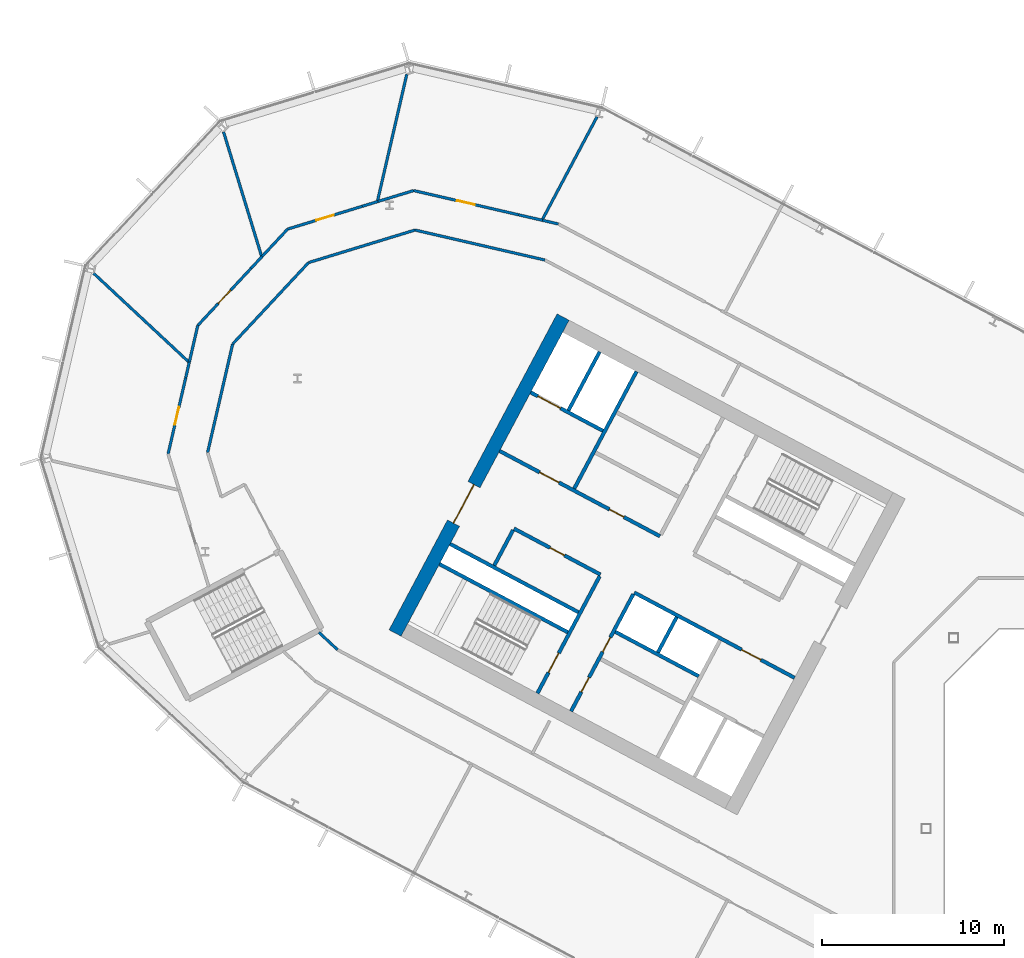
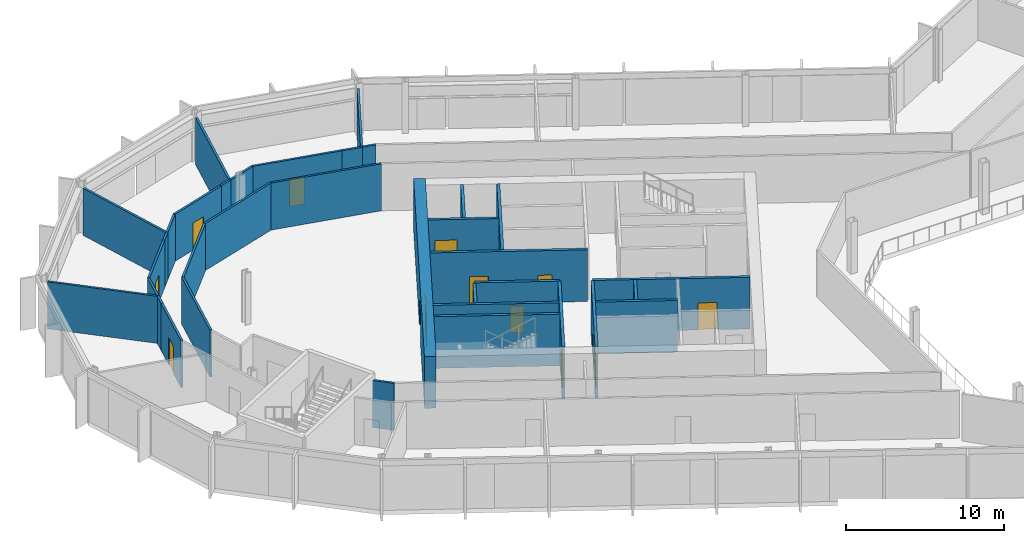
# One storey, part 14 of 28: 35 walls, 13 doors, 13 openings.
"""IFC4 building model written with IfcOpenShell, lengths in metres."""

from ifc_helpers import new_model, si_unit, direction, frame, frame_2d, origin, place, context, subcontext, project, spatial, rectangle, extrude, material, layer, layer_set, type_object, element, fill, save


model = new_model("IFC4")

# Units and contexts
model_context = context("Model", 3, precision=1e-05, world=origin(), true_north=direction((0.0, 1.0)))
body_context = subcontext(model_context, "Body", "Model", "MODEL_VIEW")
ifc_project = project(units=[si_unit("LENGTHUNIT", "METRE"), si_unit("AREAUNIT", "SQUARE_METRE"), si_unit("VOLUMEUNIT", "CUBIC_METRE"), si_unit("PLANEANGLEUNIT", "RADIAN"), si_unit("MASSUNIT", "GRAM", prefix="KILO")], contexts=[model_context])

# Site, building, storey
site_placement = place(None, origin())
site = spatial("IfcSite", under=ifc_project, at=site_placement, CompositionType="ELEMENT")
building_placement = place(site_placement, origin())
building = spatial("IfcBuilding", under=site, at=building_placement, Name="Cormorant Relay Tower", CompositionType="ELEMENT")
storey_placement = place(building_placement, frame((0.0, 0.0, 130.199951171875)))
storey = spatial("IfcBuildingStorey", under=building, at=storey_placement, Name="L26", CompositionType="ELEMENT", Elevation=130.199951171875)

# Wall
ifc_material_1 = material(Name="Concrete 40 MPa", Category="concrete")
ifc_layer_1 = layer(ifc_material_1, 0.199951171875)
ifc_layer_set_1 = layer_set([ifc_layer_1], Name="Core internal wall 200")
wall_type_1 = type_object("IfcWallType", Name="Core internal wall 200", PredefinedType="SOLIDWALL", material=ifc_layer_set_1)
wall_1_placement = place(storey_placement, frame((-25.744140625, 11.64990234375, 0.0), z_axis=(0.0, 0.0, 1.0), x_axis=(-0.469487830541, -0.882938942948, 0.0)))
element("IfcWall", 1, at=wall_1_placement, inside=storey, type_object=wall_type_1, Name="L26 core A shaft and room wall", PredefinedType="SOLIDWALL", context=body_context, shape_type="SweptSolid", body=[
    extrude(rectangle(XDim=2.2001953125, YDim=0.199951171875, at=frame_2d((1.10009765625, 0.0))), origin(), (0.0, 0.0, 1.0), 4.0),
])

# Wall, openings, doors
ifc_material_2 = material(Name="Concrete 50 MPa", Category="concrete")
ifc_layer_2 = layer(ifc_material_2, 0.199951171875)
ifc_layer_set_2 = layer_set([ifc_layer_2], Name="Core shaft wall 200")
wall_type_2 = type_object("IfcWallType", Name="Core shaft wall 200", PredefinedType="SHEAR", material=ifc_layer_set_2)
wall_2_placement = place(storey_placement, frame((-28.128173828125, 12.91748046875, 0.0), z_axis=(0.0, 0.0, 1.0), x_axis=(-0.469454336211, -0.882956752176, 0.0)))
wall_2 = element("IfcWall", 2, at=wall_2_placement, inside=storey, type_object=wall_type_2, Name="L26 core A shaft wall", PredefinedType="SHEAR", context=body_context, shape_type="SweptSolid", body=[
    extrude(rectangle(XDim=7.300048828125, YDim=0.199951171875, at=frame_2d((3.64990234375, 0.0))), origin(), (0.0, 0.0, 1.0), 4.0),
])
opening_1_placement = place(wall_2_placement, frame((2.699951171875, 0.0, 0.0)))
opening_1 = element("IfcOpeningElement", 3, at=opening_1_placement, cuts=wall_2, Name="Opening CDD-187", PredefinedType="OPENING", context=body_context, shape_type="SweptSolid", body=[
    extrude(rectangle(XDim=0.89990234375, YDim=2.10009765625, at=frame_2d((0.449951171875, 1.050048828125))), frame((0.0, 0.10986328125, 0.0), z_axis=(0.0, -1.0, 0.0), x_axis=(1.0, 0.0, 0.0)), (0.0, 0.0, 1.0), 0.219970703125),
])
opening_2_placement = place(wall_2_placement, frame((5.199951171875, 0.0, 0.0)))
opening_2 = element("IfcOpeningElement", 4, at=opening_2_placement, cuts=wall_2, Name="Opening CDD-188", PredefinedType="OPENING", context=body_context, shape_type="SweptSolid", body=[
    extrude(rectangle(XDim=0.89990234375, YDim=2.10009765625, at=frame_2d((0.449951171875, 1.050048828125))), frame((0.0, 0.10986328125, 0.0), z_axis=(0.0, -1.0, 0.0), x_axis=(1.0, 0.0, 0.0)), (0.0, 0.0, 1.0), 0.219970703125),
])
ifc_material_3 = material(Name="Steel fire door", Category="steel")
door_type_1 = type_object("IfcDoorType", Name="Core room door 900x2100", OperationType="SINGLE_SWING_LEFT", PredefinedType="DOOR", material=ifc_material_3)
door_1_placement = place(opening_1_placement, origin())
door_1 = element("IfcDoor", 5, at=door_1_placement, inside=storey, type_object=door_type_1, Name="Core room door 900x2100", OperationType="SINGLE_SWING_LEFT", OverallHeight=2.10009765625, OverallWidth=0.89990234375, PredefinedType="DOOR", context=body_context, shape_type="SweptSolid", body=[
    extrude(rectangle(XDim=0.89990234375, YDim=2.10009765625, at=frame_2d((0.449951171875, 1.050048828125))), frame((0.0, 0.02490234375, 0.0), z_axis=(0.0, -1.0, 0.0), x_axis=(1.0, 0.0, 0.0)), (0.0, 0.0, 1.0), 0.050048828125),
])
fill(opening_1, door_1)
door_2_placement = place(opening_2_placement, origin())
door_2 = element("IfcDoor", 6, at=door_2_placement, inside=storey, type_object=door_type_1, Name="Core room door 900x2100", OperationType="SINGLE_SWING_LEFT", OverallHeight=2.10009765625, OverallWidth=0.89990234375, PredefinedType="DOOR", context=body_context, shape_type="SweptSolid", body=[
    extrude(rectangle(XDim=0.89990234375, YDim=2.10009765625, at=frame_2d((0.449951171875, 1.050048828125))), frame((0.0, 0.02490234375, 0.0), z_axis=(0.0, -1.0, 0.0), x_axis=(1.0, 0.0, 0.0)), (0.0, 0.0, 1.0), 0.050048828125),
])
fill(opening_2, door_2)

# Wall, opening, door
wall_3_placement = place(storey_placement, frame((-29.982421875, 13.9033203125, 0.0), z_axis=(0.0, 0.0, 1.0), x_axis=(-0.469454336211, -0.882956752176, 0.0)))
wall_3 = element("IfcWall", 7, at=wall_3_placement, inside=storey, type_object=wall_type_2, Name="L26 core A shaft wall", PredefinedType="SHEAR", context=body_context, shape_type="SweptSolid", body=[
    extrude(rectangle(XDim=7.300048828125, YDim=0.199951171875, at=frame_2d((3.64990234375, 0.0))), origin(), (0.0, 0.0, 1.0), 4.0),
])
opening_3_placement = place(wall_3_placement, frame((4.800048828125, 0.0, 0.0)))
opening_3 = element("IfcOpeningElement", 8, at=opening_3_placement, cuts=wall_3, Name="Opening CDB-035", PredefinedType="OPENING", context=body_context, shape_type="SweptSolid", body=[
    extrude(rectangle(XDim=1.199951171875, YDim=2.10009765625, at=frame_2d((0.60009765625, 1.050048828125))), frame((0.0, 0.10986328125, 0.0), z_axis=(0.0, -1.0, 0.0), x_axis=(1.0, 0.0, 0.0)), (0.0, 0.0, 1.0), 0.219970703125),
])
ifc_material_4 = material(Name="Steel fire door", Category="steel")
door_type_2 = type_object("IfcDoorType", Name="Core stair door 1200x2100", OperationType="SINGLE_SWING_LEFT", PredefinedType="DOOR", material=ifc_material_4)
door_3_placement = place(opening_3_placement, frame((1.199951171875, 0.0, 0.0), z_axis=(0.0, 0.0, 1.0), x_axis=(-1.0, 0.0, 0.0)))
door_3 = element("IfcDoor", 9, at=door_3_placement, inside=storey, type_object=door_type_2, Name="Core stair door 1200x2100", OperationType="SINGLE_SWING_RIGHT", OverallHeight=2.10009765625, OverallWidth=1.199951171875, PredefinedType="DOOR", context=body_context, shape_type="SweptSolid", body=[
    extrude(rectangle(XDim=1.199951171875, YDim=2.10009765625, at=frame_2d((0.60009765625, 1.050048828125))), frame((0.0, 0.02490234375, 0.0), z_axis=(0.0, -1.0, 0.0), x_axis=(1.0, 0.0, 0.0)), (0.0, 0.0, 1.0), 0.050048828125),
])
fill(opening_3, door_3)

# Walls
wall_4_placement = place(storey_placement, frame((-27.955322265625, 25.170654296875, 0.0), z_axis=(0.0, 0.0, 1.0), x_axis=(-0.469480409012, -0.88294288918, 0.0)))
element("IfcWall", 10, at=wall_4_placement, inside=storey, type_object=wall_type_2, Name="L26 core A shaft wall", PredefinedType="SHEAR", context=body_context, shape_type="SweptSolid", body=[
    extrude(rectangle(XDim=7.300048828125, YDim=0.199951171875, at=frame_2d((3.64990234375, 0.0))), origin(), (0.0, 0.0, 1.0), 4.0),
])
wall_5_placement = place(storey_placement, frame((-34.750244140625, 16.4384765625, 0.0), z_axis=(0.0, 0.0, 1.0), x_axis=(-0.469401318492, -0.882984938828, 0.0)))
element("IfcWall", 11, at=wall_5_placement, inside=storey, type_object=wall_type_2, Name="L26 core A shaft wall", PredefinedType="SHEAR", context=body_context, shape_type="SweptSolid", body=[
    extrude(rectangle(XDim=2.199951171875, YDim=0.199951171875, at=frame_2d((1.10009765625, 0.0))), origin(), (0.0, 0.0, 1.0), 4.0),
])
wall_6_placement = place(storey_placement, frame((-29.986083984375, 26.250244140625, 0.0), z_axis=(0.0, 0.0, 1.0), x_axis=(-0.469494272526, -0.882935517501, 0.0)))
element("IfcWall", 12, at=wall_6_placement, inside=storey, type_object=wall_type_2, Name="L26 core A shaft wall", PredefinedType="SHEAR", context=body_context, shape_type="SweptSolid", body=[
    extrude(rectangle(XDim=3.64990234375, YDim=0.199951171875, at=frame_2d((1.824951171875, 0.0))), origin(), (0.0, 0.0, 1.0), 4.0),
])

# Wall, opening, door
wall_7_placement = place(storey_placement, frame((-29.80419921875, 21.906494140625, 0.0), z_axis=(0.0, 0.0, 1.0), x_axis=(-0.882960433586, 0.469447412093, 0.0)))
wall_7 = element("IfcWall", 13, at=wall_7_placement, inside=storey, type_object=wall_type_2, Name="L26 core A shaft wall", PredefinedType="SHEAR", context=body_context, shape_type="SweptSolid", body=[
    extrude(rectangle(XDim=4.5, YDim=0.199951171875, at=frame_2d((2.25, 0.0))), origin(), (0.0, 0.0, 1.0), 4.0),
])
opening_4_placement = place(wall_7_placement, frame((2.64990234375, 0.0, 0.0)))
opening_4 = element("IfcOpeningElement", 14, at=opening_4_placement, cuts=wall_7, Name="Opening LD3-013", PredefinedType="OPENING", context=body_context, shape_type="SweptSolid", body=[
    extrude(rectangle(XDim=1.39990234375, YDim=2.39990234375, at=frame_2d((0.699951171875, 1.199951171875))), frame((0.0, 0.10986328125, 0.0), z_axis=(0.0, -1.0, 0.0), x_axis=(1.0, 0.0, 0.0)), (0.0, 0.0, 1.0), 0.219970703125),
])
ifc_material_5 = material(Name="Stainless steel 316", Category="steel")
door_type_3 = type_object("IfcDoorType", Name="Lift landing door 1400x2400", OperationType="DOUBLE_DOOR_SLIDING", PredefinedType="DOOR", material=ifc_material_5)
door_4_placement = place(opening_4_placement, origin())
door_4 = element("IfcDoor", 15, at=door_4_placement, inside=storey, type_object=door_type_3, Name="SV1 landing door", OperationType="DOUBLE_DOOR_SLIDING", OverallHeight=2.39990234375, OverallWidth=1.39990234375, PredefinedType="DOOR", context=body_context, shape_type="SweptSolid", body=[
    extrude(rectangle(XDim=1.39990234375, YDim=2.39990234375, at=frame_2d((0.699951171875, 1.199951171875))), frame((0.0, 0.02490234375, 0.0), z_axis=(0.0, -1.0, 0.0), x_axis=(1.0, 0.0, 0.0)), (0.0, 0.0, 1.0), 0.050048828125),
])
fill(opening_4, door_4)

# Wall, openings, doors
wall_8_placement = place(storey_placement, frame((-26.66162109375, 16.1015625, 0.0), z_axis=(0.0, 0.0, 1.0), x_axis=(-0.882940221191, 0.469485426614, 0.0)))
wall_8 = element("IfcWall", 16, at=wall_8_placement, inside=storey, type_object=wall_type_2, Name="L26 core A shaft wall", PredefinedType="SHEAR", context=body_context, shape_type="SweptSolid", body=[
    extrude(rectangle(XDim=10.0, YDim=0.199951171875, at=frame_2d((5.0, 0.0))), origin(), (0.0, 0.0, 1.0), 4.0),
])
opening_5_placement = place(wall_8_placement, frame((6.300048828125, 0.0, 0.0)))
opening_5 = element("IfcOpeningElement", 17, at=opening_5_placement, cuts=wall_8, Name="Opening CDC-029", PredefinedType="OPENING", context=body_context, shape_type="SweptSolid", body=[
    extrude(rectangle(XDim=1.199951171875, YDim=2.10009765625, at=frame_2d((0.60009765625, 1.050048828125))), frame((0.0, 0.10986328125, 0.0), z_axis=(0.0, -1.0, 0.0), x_axis=(1.0, 0.0, 0.0)), (0.0, 0.0, 1.0), 0.219970703125),
])
opening_6_placement = place(wall_8_placement, frame((2.25, 0.0, 0.0)))
opening_6 = element("IfcOpeningElement", 18, at=opening_6_placement, cuts=wall_8, Name="Opening CDD-186", PredefinedType="OPENING", context=body_context, shape_type="SweptSolid", body=[
    extrude(rectangle(XDim=0.89990234375, YDim=2.10009765625, at=frame_2d((0.449951171875, 1.050048828125))), frame((0.0, 0.10986328125, 0.0), z_axis=(0.0, -1.0, 0.0), x_axis=(1.0, 0.0, 0.0)), (0.0, 0.0, 1.0), 0.219970703125),
])
ifc_material_6 = material(Name="Steel fire door", Category="steel")
door_type_4 = type_object("IfcDoorType", Name="Core lobby door 1200x2100", OperationType="SINGLE_SWING_LEFT", PredefinedType="DOOR", material=ifc_material_6)
door_5_placement = place(opening_5_placement, frame((1.199951171875, 0.0, 0.0), z_axis=(0.0, 0.0, 1.0), x_axis=(-1.0, 0.0, 0.0)))
door_5 = element("IfcDoor", 19, at=door_5_placement, inside=storey, type_object=door_type_4, Name="Core lobby door 1200x2100", OperationType="SINGLE_SWING_RIGHT", OverallHeight=2.10009765625, OverallWidth=1.199951171875, PredefinedType="DOOR", context=body_context, shape_type="SweptSolid", body=[
    extrude(rectangle(XDim=1.199951171875, YDim=2.10009765625, at=frame_2d((0.60009765625, 1.050048828125))), frame((0.0, 0.02490234375, 0.0), z_axis=(0.0, -1.0, 0.0), x_axis=(1.0, 0.0, 0.0)), (0.0, 0.0, 1.0), 0.050048828125),
])
fill(opening_5, door_5)
door_6_placement = place(opening_6_placement, frame((0.89990234375, 0.0, 0.0), z_axis=(0.0, 0.0, 1.0), x_axis=(-1.0, 0.0, 0.0)))
door_6 = element("IfcDoor", 20, at=door_6_placement, inside=storey, type_object=door_type_1, Name="Core room door 900x2100", OperationType="SINGLE_SWING_RIGHT", OverallHeight=2.10009765625, OverallWidth=0.89990234375, PredefinedType="DOOR", context=body_context, shape_type="SweptSolid", body=[
    extrude(rectangle(XDim=0.89990234375, YDim=2.10009765625, at=frame_2d((0.449951171875, 1.050048828125))), frame((0.0, 0.02490234375, 0.0), z_axis=(0.0, -1.0, 0.0), x_axis=(1.0, 0.0, 0.0)), (0.0, 0.0, 1.0), 0.050048828125),
])
fill(opening_6, door_6)

# Wall, opening, door
wall_9_placement = place(storey_placement, frame((-19.251708984375, 8.31103515625, 0.0), z_axis=(0.0, 0.0, 1.0), x_axis=(-0.882955722218, 0.469456273365, 0.0)))
wall_9 = element("IfcWall", 21, at=wall_9_placement, inside=storey, type_object=wall_type_2, Name="L26 core A shaft wall", PredefinedType="SHEAR", context=body_context, shape_type="SweptSolid", body=[
    extrude(rectangle(XDim=10.0, YDim=0.199951171875, at=frame_2d((5.0, 0.0))), origin(), (0.0, 0.0, 1.0), 4.0),
])
opening_7_placement = place(wall_9_placement, frame((2.10009765625, 0.0, 0.0)))
opening_7 = element("IfcOpeningElement", 22, at=opening_7_placement, cuts=wall_9, Name="Opening CDC-025", PredefinedType="OPENING", context=body_context, shape_type="SweptSolid", body=[
    extrude(rectangle(XDim=1.199951171875, YDim=2.10009765625, at=frame_2d((0.60009765625, 1.050048828125))), frame((0.0, 0.10986328125, 0.0), z_axis=(0.0, -1.0, 0.0), x_axis=(1.0, 0.0, 0.0)), (0.0, 0.0, 1.0), 0.219970703125),
])
door_7_placement = place(opening_7_placement, origin())
door_7 = element("IfcDoor", 23, at=door_7_placement, inside=storey, type_object=door_type_4, Name="Core lobby door 1200x2100", OperationType="SINGLE_SWING_RIGHT", OverallHeight=2.10009765625, OverallWidth=1.199951171875, PredefinedType="DOOR", context=body_context, shape_type="SweptSolid", body=[
    extrude(rectangle(XDim=1.199951171875, YDim=2.10009765625, at=frame_2d((0.60009765625, 1.050048828125))), frame((0.0, 0.02490234375, 0.0), z_axis=(0.0, -1.0, 0.0), x_axis=(1.0, 0.0, 0.0)), (0.0, 0.0, 1.0), 0.050048828125),
])
fill(opening_7, door_7)

wall_10_placement = place(storey_placement, frame((-29.935302734375, 13.991455078125, 0.0), z_axis=(0.0, 0.0, 1.0), x_axis=(-0.882952937579, 0.469461510692, 0.0)))
wall_10 = element("IfcWall", 24, at=wall_10_placement, inside=storey, type_object=wall_type_2, Name="L26 core A shaft wall", PredefinedType="SHEAR", context=body_context, shape_type="SweptSolid", body=[
    extrude(rectangle(XDim=5.400146484375, YDim=0.199951171875, at=frame_2d((2.7001953125, 0.0))), origin(), (0.0, 0.0, 1.0), 4.0),
])
opening_8_placement = place(wall_10_placement, frame((2.25, 0.0, 0.0)))
opening_8 = element("IfcOpeningElement", 25, at=opening_8_placement, cuts=wall_10, Name="Opening CDD-184", PredefinedType="OPENING", context=body_context, shape_type="SweptSolid", body=[
    extrude(rectangle(XDim=0.89990234375, YDim=2.10009765625, at=frame_2d((0.449951171875, 1.050048828125))), frame((0.0, 0.10986328125, 0.0), z_axis=(0.0, -1.0, 0.0), x_axis=(1.0, 0.0, 0.0)), (0.0, 0.0, 1.0), 0.219970703125),
])
door_8_placement = place(opening_8_placement, origin())
door_8 = element("IfcDoor", 26, at=door_8_placement, inside=storey, type_object=door_type_1, Name="Core room door 900x2100", OperationType="SINGLE_SWING_LEFT", OverallHeight=2.10009765625, OverallWidth=0.89990234375, PredefinedType="DOOR", context=body_context, shape_type="SweptSolid", body=[
    extrude(rectangle(XDim=0.89990234375, YDim=2.10009765625, at=frame_2d((0.449951171875, 1.050048828125))), frame((0.0, 0.02490234375, 0.0), z_axis=(0.0, -1.0, 0.0), x_axis=(1.0, 0.0, 0.0)), (0.0, 0.0, 1.0), 0.050048828125),
])
fill(opening_8, door_8)

# Walls
wall_11_placement = place(storey_placement, frame((-24.5283203125, 8.3984375, 0.0), z_axis=(0.0, 0.0, 1.0), x_axis=(-0.882953967957, 0.469459572775, 0.0)))
element("IfcWall", 27, at=wall_11_placement, inside=storey, type_object=wall_type_2, Name="L26 core A shaft wall", PredefinedType="SHEAR", context=body_context, shape_type="SweptSolid", body=[
    extrude(rectangle(XDim=5.199951171875, YDim=0.199951171875, at=frame_2d((2.60009765625, 0.0))), origin(), (0.0, 0.0, 1.0), 4.0),
])
for number, where, z_axis, x_axis, name in (
    (28, (-31.150390625, 11.91943359375, 0.0), (0.0, 0.0, 1.0), (-0.882940221191, 0.469485426614, 0.0), "L26 core A shaft wall"),
    (29, (-31.7373046875, 10.815673828125, 0.0), (0.0, 0.0, 1.0), (-0.882940221191, 0.469485426614, 0.0), "L26 core A shaft wall"),
):
    element("IfcWall", number, at=place(storey_placement, frame(where, z_axis=z_axis, x_axis=x_axis)), inside=storey, type_object=wall_type_2, Name=name, PredefinedType="SHEAR", context=body_context, shape_type="SweptSolid", body=[
        extrude(rectangle(XDim=8.0, YDim=0.199951171875, at=frame_2d((4.0, 0.0))), origin(), (0.0, 0.0, 1.0), 4.0),
    ])

# Wall, opening, door
ifc_material_7 = material(Name="Concrete 60 MPa", Category="concrete")
ifc_layer_3 = layer(ifc_material_7, 0.75)
ifc_layer_set_3 = layer_set([ifc_layer_3], Name="Core wall 750")
wall_type_3 = type_object("IfcWallType", Name="Core wall 750", PredefinedType="SHEAR", material=ifc_layer_set_3)
wall_12_placement = place(storey_placement, frame((-31.995849609375, 28.16845703125, 0.0), z_axis=(0.0, 0.0, 1.0), x_axis=(-0.469479580143, -0.882943329908, 0.0)))
wall_12 = element("IfcWall", 30, at=wall_12_placement, inside=storey, type_object=wall_type_3, Name="L26 core A wall", PredefinedType="SHEAR", context=body_context, shape_type="SweptSolid", body=[
    extrude(rectangle(XDim=19.699951171875, YDim=0.75, at=frame_2d((9.85009765625, 0.0))), origin(), (0.0, 0.0, 1.0), 4.0),
])
opening_9_placement = place(wall_12_placement, frame((10.449951171875, 0.0, 0.0)))
opening_9 = element("IfcOpeningElement", 31, at=opening_9_placement, cuts=wall_12, Name="Opening CDA-027", PredefinedType="OPENING", context=body_context, shape_type="SweptSolid", body=[
    extrude(rectangle(XDim=2.39990234375, YDim=2.39990234375, at=frame_2d((1.199951171875, 1.199951171875))), frame((0.0, 0.385009765625, 0.0), z_axis=(0.0, -1.0, 0.0), x_axis=(1.0, 0.0, 0.0)), (0.0, 0.0, 1.0), 0.77001953125),
])
ifc_material_8 = material(Name="Steel fire door", Category="steel")
door_type_5 = type_object("IfcDoorType", Name="Core lobby door 2400x2400", OperationType="DOUBLE_DOOR_SINGLE_SWING", PredefinedType="DOOR", material=ifc_material_8)
door_9_placement = place(opening_9_placement, origin())
door_9 = element("IfcDoor", 32, at=door_9_placement, inside=storey, type_object=door_type_5, Name="Core lobby door 2400x2400", OperationType="DOUBLE_DOOR_SINGLE_SWING", OverallHeight=2.39990234375, OverallWidth=2.39990234375, PredefinedType="DOOR", context=body_context, shape_type="SweptSolid", body=[
    extrude(rectangle(XDim=2.39990234375, YDim=2.39990234375, at=frame_2d((1.199951171875, 1.199951171875))), frame((0.0, 0.02490234375, 0.0), z_axis=(0.0, -1.0, 0.0), x_axis=(1.0, 0.0, 0.0)), (0.0, 0.0, 1.0), 0.050048828125),
])
fill(opening_9, door_9)

ifc_material_9 = material(Name="Gypsum board fire partition")
ifc_layer_4 = layer(ifc_material_9, 0.14990234375)
ifc_layer_set_4 = layer_set([ifc_layer_4], Name="Corridor partition 150 EI 60")
wall_type_4 = type_object("IfcWallType", Name="Corridor partition 150 EI 60", PredefinedType="PARTITIONING", material=ifc_layer_set_4)
wall_13_placement = place(storey_placement, frame((-52.76904296875, 24.825927734375, 0.0), z_axis=(0.0, 0.0, 1.0), x_axis=(-0.224938307653, -0.974373007503, 0.0)))
wall_13 = element("IfcWall", 33, at=wall_13_placement, inside=storey, type_object=wall_type_4, Name="wall/L26/part/004", PredefinedType="PARTITIONING", context=body_context, shape_type="SweptSolid", body=[
    extrude(rectangle(XDim=4.299072265625, YDim=0.14990234375, at=frame_2d((2.1494140625, 0.0))), origin(), (0.0, 0.0, 1.0), 3.64013671875),
])
opening_10_placement = place(wall_13_placement, frame((1.64990234375, 0.0, 0.0)))
opening_10 = element("IfcOpeningElement", 34, at=opening_10_placement, cuts=wall_13, Name="Opening DS-028", PredefinedType="OPENING", context=body_context, shape_type="SweptSolid", body=[
    extrude(rectangle(XDim=1.0, YDim=2.10009765625, at=frame_2d((0.5, 1.050048828125))), frame((0.0, 0.0849609375, 0.0), z_axis=(0.0, -1.0, 0.0), x_axis=(1.0, 0.0, 0.0)), (0.0, 0.0, 1.0), 0.169921875),
])
ifc_material_10 = material(Name="Timber door leaf", Category="wood")
door_type_6 = type_object("IfcDoorType", Name="Suite door 1000x2100", OperationType="SINGLE_SWING_LEFT", PredefinedType="DOOR", material=ifc_material_10)
door_10_placement = place(opening_10_placement, frame((1.0, 0.0, 0.0), z_axis=(0.0, 0.0, 1.0), x_axis=(-1.0, 0.0, 0.0)))
door_10 = element("IfcDoor", 35, at=door_10_placement, inside=storey, type_object=door_type_6, Name="door/L26/015", OperationType="SINGLE_SWING_RIGHT", OverallHeight=2.10009765625, OverallWidth=1.0, PredefinedType="DOOR", context=body_context, shape_type="SweptSolid", body=[
    extrude(rectangle(XDim=1.0, YDim=2.10009765625, at=frame_2d((0.5, 1.050048828125))), frame((0.0, 0.02490234375, 0.0), z_axis=(0.0, -1.0, 0.0), x_axis=(1.0, 0.0, 0.0)), (0.0, 0.0, 1.0), 0.050048828125),
])
fill(opening_10, door_10)

# Walls
wall_14_placement = place(storey_placement, frame((-52.76904296875, 24.825927734375, 0.0), z_axis=(0.0, 0.0, 1.0), x_axis=(0.224999270749, 0.974358931894, 0.0)))
element("IfcWall", 36, at=wall_14_placement, inside=storey, type_object=wall_type_4, Name="wall/L26/part/007", PredefinedType="PARTITIONING", context=body_context, shape_type="SweptSolid", body=[
    extrude(rectangle(XDim=0.89306640625, YDim=0.14990234375, at=frame_2d((0.446533203125, 0.0))), origin(), (0.0, 0.0, 1.0), 3.64013671875),
])
wall_15_placement = place(storey_placement, frame((-52.10400390625, 27.705078125, 0.0), z_axis=(0.0, 0.0, 1.0), x_axis=(-0.225084333606, -0.974339285242, 0.0)))
element("IfcWall", 37, at=wall_15_placement, inside=storey, type_object=wall_type_4, Name="wall/L26/part/008", PredefinedType="PARTITIONING", context=body_context, shape_type="SweptSolid", body=[
    extrude(rectangle(XDim=2.06201171875, YDim=0.14990234375, at=frame_2d((1.031005859375, 0.0))), origin(), (0.0, 0.0, 1.0), 3.64013671875),
])

# Wall, opening, door
wall_16_placement = place(storey_placement, frame((-52.10400390625, 27.7041015625, 0.0), z_axis=(0.0, 0.0, 1.0), x_axis=(0.681907306721, 0.731438599638, 0.0)))
wall_16 = element("IfcWall", 38, at=wall_16_placement, inside=storey, type_object=wall_type_4, Name="wall/L26/part/009", PredefinedType="PARTITIONING", context=body_context, shape_type="SweptSolid", body=[
    extrude(rectangle(XDim=4.298095703125, YDim=0.14990234375, at=frame_2d((2.14892578125, 0.0))), origin(), (0.0, 0.0, 1.0), 3.64013671875),
])
opening_11_placement = place(wall_16_placement, frame((1.64990234375, 0.0, 0.0)))
opening_11 = element("IfcOpeningElement", 39, at=opening_11_placement, cuts=wall_16, Name="Opening DS-027", PredefinedType="OPENING", context=body_context, shape_type="SweptSolid", body=[
    extrude(rectangle(XDim=1.0, YDim=2.10009765625, at=frame_2d((0.5, 1.050048828125))), frame((0.0, 0.0849609375, 0.0), z_axis=(0.0, -1.0, 0.0), x_axis=(1.0, 0.0, 0.0)), (0.0, 0.0, 1.0), 0.169921875),
])
door_11_placement = place(opening_11_placement, origin())
door_11 = element("IfcDoor", 40, at=door_11_placement, inside=storey, type_object=door_type_6, Name="door/L26/014", OperationType="SINGLE_SWING_RIGHT", OverallHeight=2.10009765625, OverallWidth=1.0, PredefinedType="DOOR", context=body_context, shape_type="SweptSolid", body=[
    extrude(rectangle(XDim=1.0, YDim=2.10009765625, at=frame_2d((0.5, 1.050048828125))), frame((0.0, 0.02490234375, 0.0), z_axis=(0.0, -1.0, 0.0), x_axis=(1.0, 0.0, 0.0)), (0.0, 0.0, 1.0), 0.050048828125),
])
fill(opening_11, door_11)

# Wall
wall_17_placement = place(storey_placement, frame((-49.173095703125, 30.847900390625, 0.0), z_axis=(0.0, 0.0, 1.0), x_axis=(0.681529523193, 0.73179061829, 0.0)))
element("IfcWall", 41, at=wall_17_placement, inside=storey, type_object=wall_type_4, Name="wall/L26/part/013", PredefinedType="PARTITIONING", context=body_context, shape_type="SweptSolid", body=[
    extrude(rectangle(XDim=0.893798828125, YDim=0.14990234375, at=frame_2d((0.44677734375, 0.0))), origin(), (0.0, 0.0, 1.0), 3.64013671875),
])

# Wall, opening, door
wall_18_placement = place(storey_placement, frame((-43.047119140625, 34.26611328125, 0.0), z_axis=(0.0, 0.0, 1.0), x_axis=(-0.95628717933, -0.292429189118, 0.0)))
wall_18 = element("IfcWall", 42, at=wall_18_placement, inside=storey, type_object=wall_type_4, Name="wall/L26/part/014", PredefinedType="PARTITIONING", context=body_context, shape_type="SweptSolid", body=[
    extrude(rectangle(XDim=4.298828125, YDim=0.14990234375, at=frame_2d((2.1494140625, 0.0))), origin(), (0.0, 0.0, 1.0), 3.64013671875),
])
opening_12_placement = place(wall_18_placement, frame((1.64990234375, 0.0, 0.0)))
opening_12 = element("IfcOpeningElement", 43, at=opening_12_placement, cuts=wall_18, Name="Opening DS-026", PredefinedType="OPENING", context=body_context, shape_type="SweptSolid", body=[
    extrude(rectangle(XDim=1.0, YDim=2.10009765625, at=frame_2d((0.5, 1.050048828125))), frame((0.0, 0.0849609375, 0.0), z_axis=(0.0, -1.0, 0.0), x_axis=(1.0, 0.0, 0.0)), (0.0, 0.0, 1.0), 0.169921875),
])
door_12_placement = place(opening_12_placement, frame((1.0, 0.0, 0.0), z_axis=(0.0, 0.0, 1.0), x_axis=(-1.0, 0.0, 0.0)))
door_12 = element("IfcDoor", 44, at=door_12_placement, inside=storey, type_object=door_type_6, Name="door/L26/013", OperationType="SINGLE_SWING_RIGHT", OverallHeight=2.10009765625, OverallWidth=1.0, PredefinedType="DOOR", context=body_context, shape_type="SweptSolid", body=[
    extrude(rectangle(XDim=1.0, YDim=2.10009765625, at=frame_2d((0.5, 1.050048828125))), frame((0.0, 0.02490234375, 0.0), z_axis=(0.0, -1.0, 0.0), x_axis=(1.0, 0.0, 0.0)), (0.0, 0.0, 1.0), 0.050048828125),
])
fill(opening_12, door_12)

# Walls
wall_19_placement = place(storey_placement, frame((-47.157958984375, 33.009033203125, 0.0), z_axis=(0.0, 0.0, 1.0), x_axis=(-0.682162081417, -0.731200994719, 0.0)))
element("IfcWall", 45, at=wall_19_placement, inside=storey, type_object=wall_type_4, Name="wall/L26/part/015", PredefinedType="PARTITIONING", context=body_context, shape_type="SweptSolid", body=[
    extrude(rectangle(XDim=2.06103515625, YDim=0.14990234375, at=frame_2d((1.030517578125, 0.0))), origin(), (0.0, 0.0, 1.0), 3.64013671875),
])
wall_20_placement = place(storey_placement, frame((-51.56298828125, 20.712890625, 0.0), z_axis=(0.0, 0.0, 1.0), x_axis=(0.224853687454, 0.974392538579, 0.0)))
element("IfcWall", 46, at=wall_20_placement, inside=storey, type_object=wall_type_4, Name="wall/L26/part/019", PredefinedType="PARTITIONING", context=body_context, shape_type="SweptSolid", body=[
    extrude(rectangle(XDim=6.128173828125, YDim=0.14990234375, at=frame_2d((3.06396484375, 0.0))), origin(), (0.0, 0.0, 1.0), 3.64013671875),
])
wall_21_placement = place(storey_placement, frame((-50.18505859375, 26.68408203125, 0.0), z_axis=(0.0, 0.0, 1.0), x_axis=(0.682032845108, 0.731321542274, 0.0)))
element("IfcWall", 47, at=wall_21_placement, inside=storey, type_object=wall_type_4, Name="wall/L26/part/020", PredefinedType="PARTITIONING", context=body_context, shape_type="SweptSolid", body=[
    extrude(rectangle(XDim=6.127197265625, YDim=0.14990234375, at=frame_2d((3.0634765625, 0.0))), origin(), (0.0, 0.0, 1.0), 3.64013671875),
])
wall_22_placement = place(storey_placement, frame((-46.006103515625, 31.1650390625, 0.0), z_axis=(0.0, 0.0, 1.0), x_axis=(0.95628752803, 0.292428048816, 0.0)))
element("IfcWall", 48, at=wall_22_placement, inside=storey, type_object=wall_type_4, Name="wall/L26/part/021", PredefinedType="PARTITIONING", context=body_context, shape_type="SweptSolid", body=[
    extrude(rectangle(XDim=6.1279296875, YDim=0.14990234375, at=frame_2d((3.06396484375, 0.0))), origin(), (0.0, 0.0, 1.0), 3.64013671875),
])
wall_23_placement = place(storey_placement, frame((-40.14599609375, 32.95703125, 0.0), z_axis=(0.0, 0.0, 1.0), x_axis=(0.974359206281, -0.224998082516, 0.0)))
element("IfcWall", 49, at=wall_23_placement, inside=storey, type_object=wall_type_4, Name="wall/L26/part/022", PredefinedType="PARTITIONING", context=body_context, shape_type="SweptSolid", body=[
    extrude(rectangle(XDim=7.333984375, YDim=0.14990234375, at=frame_2d((3.6669921875, 0.0))), origin(), (0.0, 0.0, 1.0), 3.64013671875),
])
wall_24_placement = place(storey_placement, frame((-44.407958984375, 9.85107421875, 0.0), z_axis=(0.0, 0.0, 1.0), x_axis=(-0.730813748843, 0.682576929366, 0.0)))
element("IfcWall", 50, at=wall_24_placement, inside=storey, type_object=wall_type_4, Name="wall/L26/part/026", PredefinedType="PARTITIONING", context=body_context, shape_type="SweptSolid", body=[
    extrude(rectangle(XDim=1.412109375, YDim=0.14990234375, at=frame_2d((0.7060546875, 0.0))), origin(), (0.0, 0.0, 1.0), 3.64013671875),
])
wall_25_placement = place(storey_placement, frame((-43.047119140625, 34.26611328125, 0.0), z_axis=(0.0, 0.0, 1.0), x_axis=(0.956338836107, 0.292260210348, 0.0)))
element("IfcWall", 51, at=wall_25_placement, inside=storey, type_object=wall_type_4, Name="wall/L26/part/029", PredefinedType="PARTITIONING", context=body_context, shape_type="SweptSolid", body=[
    extrude(rectangle(XDim=0.89306640625, YDim=0.14990234375, at=frame_2d((0.446533203125, 0.0))), origin(), (0.0, 0.0, 1.0), 3.64013671875),
])
wall_26_placement = place(storey_placement, frame((-40.220947265625, 35.1298828125, 0.0), z_axis=(0.0, 0.0, 1.0), x_axis=(-0.956327673293, -0.292296735004, 0.0)))
element("IfcWall", 52, at=wall_26_placement, inside=storey, type_object=wall_type_4, Name="wall/L26/part/031", PredefinedType="PARTITIONING", context=body_context, shape_type="SweptSolid", body=[
    extrude(rectangle(XDim=2.062255859375, YDim=0.14990234375, at=frame_2d((1.03125, 0.0))), origin(), (0.0, 0.0, 1.0), 3.64013671875),
])

# Wall, opening, door
wall_27_placement = place(storey_placement, frame((-40.221923828125, 35.1298828125, 0.0), z_axis=(0.0, 0.0, 1.0), x_axis=(0.974339831562, -0.225081968694, 0.0)))
wall_27 = element("IfcWall", 53, at=wall_27_placement, inside=storey, type_object=wall_type_4, Name="wall/L26/part/032", PredefinedType="PARTITIONING", context=body_context, shape_type="SweptSolid", body=[
    extrude(rectangle(XDim=5.930908203125, YDim=0.14990234375, at=frame_2d((2.96533203125, 0.0))), origin(), (0.0, 0.0, 1.0), 3.64013671875),
])
opening_13_placement = place(wall_27_placement, frame((2.449951171875, 0.0, 0.0)))
opening_13 = element("IfcOpeningElement", 54, at=opening_13_placement, cuts=wall_27, Name="Opening DS-025", PredefinedType="OPENING", context=body_context, shape_type="SweptSolid", body=[
    extrude(rectangle(XDim=1.0, YDim=2.10009765625, at=frame_2d((0.5, 1.050048828125))), frame((0.0, 0.0849609375, 0.0), z_axis=(0.0, -1.0, 0.0), x_axis=(1.0, 0.0, 0.0)), (0.0, 0.0, 1.0), 0.169921875),
])
door_13_placement = place(opening_13_placement, origin())
door_13 = element("IfcDoor", 55, at=door_13_placement, inside=storey, type_object=door_type_6, Name="door/L26/012", OperationType="SINGLE_SWING_RIGHT", OverallHeight=2.10009765625, OverallWidth=1.0, PredefinedType="DOOR", context=body_context, shape_type="SweptSolid", body=[
    extrude(rectangle(XDim=1.0, YDim=2.10009765625, at=frame_2d((0.5, 1.050048828125))), frame((0.0, 0.02490234375, 0.0), z_axis=(0.0, -1.0, 0.0), x_axis=(1.0, 0.0, 0.0)), (0.0, 0.0, 1.0), 0.050048828125),
])
fill(opening_13, door_13)

# Walls
wall_28_placement = place(storey_placement, frame((-34.443115234375, 33.794921875, 0.0), z_axis=(0.0, 0.0, 1.0), x_axis=(0.97454926733, -0.224173427388, 0.0)))
element("IfcWall", 56, at=wall_28_placement, inside=storey, type_object=wall_type_4, Name="wall/L26/part/034", PredefinedType="PARTITIONING", context=body_context, shape_type="SweptSolid", body=[
    extrude(rectangle(XDim=1.3515625, YDim=0.14990234375, at=frame_2d((0.67578125, 0.0))), origin(), (0.0, 0.0, 1.0), 3.64013671875),
])
wall_29_placement = place(storey_placement, frame((-32.258056640625, 33.291015625, 0.0), z_axis=(0.0, 0.0, 1.0), x_axis=(-0.974233920413, 0.225539948383, 0.0)))
element("IfcWall", 57, at=wall_29_placement, inside=storey, type_object=wall_type_4, Name="wall/L26/part/038", PredefinedType="PARTITIONING", context=body_context, shape_type="SweptSolid", body=[
    extrude(rectangle(XDim=0.890869140625, YDim=0.14990234375, at=frame_2d((0.4453125, 0.0))), origin(), (0.0, 0.0, 1.0), 3.64013671875),
])
ifc_material_11 = material(Name="Gypsum board partition")
ifc_layer_5 = layer(ifc_material_11, 0.14990234375)
ifc_layer_set_5 = layer_set([ifc_layer_5], Name="Tenant partition 150")
wall_type_5 = type_object("IfcWallType", Name="Tenant partition 150", PredefinedType="PARTITIONING", material=ifc_layer_set_5)
wall_30_placement = place(storey_placement, frame((-57.841064453125, 30.580078125, 0.0), z_axis=(0.0, 0.0, 1.0), x_axis=(0.73138888014, -0.681960633767, 0.0)))
element("IfcWall", 58, at=wall_30_placement, inside=storey, type_object=wall_type_5, Name="wall/L26/part/002", PredefinedType="PARTITIONING", context=body_context, shape_type="SweptSolid", body=[
    extrude(rectangle(XDim=7.201416015625, YDim=0.14990234375, at=frame_2d((3.6005859375, 0.0))), origin(), (0.0, 0.0, 1.0), 3.64013671875),
])
wall_31_placement = place(storey_placement, frame((-50.68798828125, 38.365966796875, 0.0), z_axis=(0.0, 0.0, 1.0), x_axis=(0.292536448014, -0.956254373367, 0.0)))
element("IfcWall", 59, at=wall_31_placement, inside=storey, type_object=wall_type_5, Name="wall/L26/part/010", PredefinedType="PARTITIONING", context=body_context, shape_type="SweptSolid", body=[
    extrude(rectangle(XDim=7.198974609375, YDim=0.14990234375, at=frame_2d((3.599609375, 0.0))), origin(), (0.0, 0.0, 1.0), 3.64013671875),
])
wall_32_placement = place(storey_placement, frame((-40.59912109375, 41.533935546875, 0.0), z_axis=(0.0, 0.0, 1.0), x_axis=(-0.224998195806, -0.97435918012, 0.0)))
element("IfcWall", 60, at=wall_32_placement, inside=storey, type_object=wall_type_5, Name="wall/L26/part/030", PredefinedType="PARTITIONING", context=body_context, shape_type="SweptSolid", body=[
    extrude(rectangle(XDim=7.199462890625, YDim=0.14990234375, at=frame_2d((3.599609375, 0.0))), origin(), (0.0, 0.0, 1.0), 3.64013671875),
])
wall_33_placement = place(storey_placement, frame((-30.12890625, 39.18798828125, 0.0), z_axis=(0.0, 0.0, 1.0), x_axis=(-0.469441435839, -0.882963610981, 0.0)))
element("IfcWall", 61, at=wall_33_placement, inside=storey, type_object=wall_type_5, Name="wall/L26/part/035", PredefinedType="PARTITIONING", context=body_context, shape_type="SweptSolid", body=[
    extrude(rectangle(XDim=6.444091796875, YDim=0.14990234375, at=frame_2d((3.22216796875, 0.0))), origin(), (0.0, 0.0, 1.0), 3.64013671875),
])

save(model, "model.ifc")
